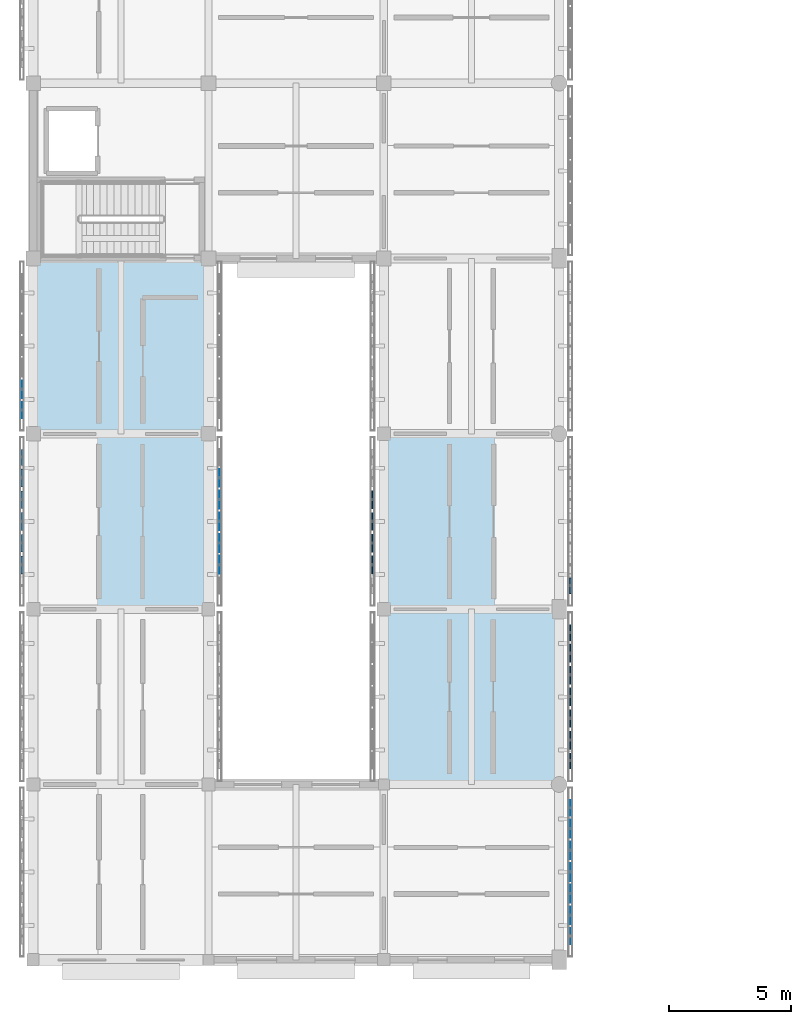
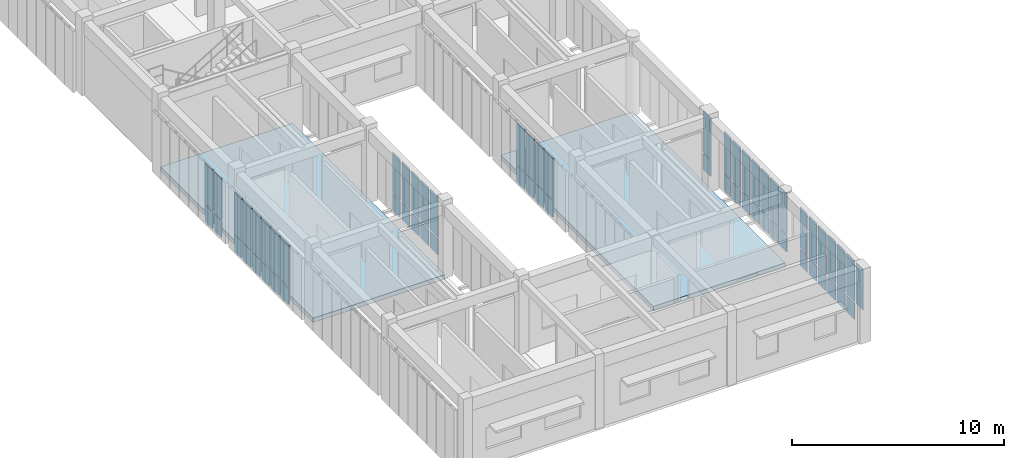
# One storey, part 93 of 171: 63 plates, 2 slabs, 7 elements without a shape of their own.
"""IFC4 building model written with IfcOpenShell, lengths in metres."""

from ifc_helpers import new_model, si_unit, direction, frame, origin, origin_2d, place, context, subcontext, project, spatial, polyline, rectangle, outline, extrude, material, layer, layer_set, type_object, element, aggregate, save


model = new_model("IFC4")

# Units and contexts
model_context = context("Model", 3, precision=1e-05, world=origin(), true_north=direction((0.0, 1.0)))
body_context = subcontext(model_context, "Body", "Model", "MODEL_VIEW")
ifc_project = project(units=[si_unit("LENGTHUNIT", "METRE"), si_unit("AREAUNIT", "SQUARE_METRE"), si_unit("VOLUMEUNIT", "CUBIC_METRE"), si_unit("PLANEANGLEUNIT", "RADIAN"), si_unit("MASSUNIT", "GRAM", prefix="KILO")], contexts=[model_context])

# Site, building, storey
site_placement = place(None, origin())
site = spatial("IfcSite", under=ifc_project, at=site_placement, CompositionType="ELEMENT")
building_placement = place(site_placement, origin())
building = spatial("IfcBuilding", under=site, at=building_placement, Name="Aldebral Square Health Centre", CompositionType="ELEMENT")
storey_placement = place(building_placement, frame((0.0, 0.0, 4.5)))
storey = spatial("IfcBuildingStorey", under=building, at=storey_placement, Name="L01", CompositionType="ELEMENT", Elevation=4.5)

# Curtain wall, plates
ifc_material_1 = material(Name="Aluminium and low-E solar glass", Category="aluminium")
curtain_wall_type = type_object("IfcCurtainWallType", Name="CW-FIN-SYS", PredefinedType="USERDEFINED", material=ifc_material_1)
curtain_wall_1_placement = place(storey_placement, origin())
curtain_wall_1 = element("IfcCurtainWall", 1, at=curtain_wall_1_placement, inside=storey, type_object=curtain_wall_type, Name="L01 V6 finned curtain wall L01-V6-00-02-E", ObjectType="SOLAR_CURTAIN_WALL", PredefinedType="USERDEFINED")
ifc_material_2 = material(Name="Solar-control low-E double glass", Category="glass")
ifc_layer_1 = layer(ifc_material_2, 0.02001953125, Name="Solar-control low-E double glass", Category="glass")
ifc_layer_set_1 = layer_set([ifc_layer_1], Name="Solar-control low-E double glass")
plate_type_1 = type_object("IfcPlateType", Name="CWP-GLZ-1", PredefinedType="CURTAIN_PANEL", material=ifc_layer_set_1)
plate_1_placement = place(storey_placement, frame((7.659912109375, 16.217041015625, 0.074951171875), z_axis=(0.0, 0.0, 1.0), x_axis=(0.0, 1.0, 0.0)))
plate_1 = element("IfcPlate", 2, at=plate_1_placement, type_object=plate_type_1, Name="CW1 panel 2.1", PredefinedType="CURTAIN_PANEL", context=body_context, shape_type="SweptSolid", body=[
    extrude(rectangle(XDim=0.7314453125, YDim=0.02001953125, at=origin_2d()), origin(), (0.0, 0.0, 1.0), 0.9375),
])
plate_2_placement = place(storey_placement, frame((7.659912109375, 16.217041015625, 1.087646484375), z_axis=(0.0, 0.0, 1.0), x_axis=(0.0, 1.0, 0.0)))
plate_2 = element("IfcPlate", 3, at=plate_2_placement, type_object=plate_type_1, Name="CW1 panel 2.2", PredefinedType="CURTAIN_PANEL", context=body_context, shape_type="SweptSolid", body=[
    extrude(rectangle(XDim=0.7314453125, YDim=0.02001953125, at=origin_2d()), origin(), (0.0, 0.0, 1.0), 2.357421875),
])
plate_3_placement = place(storey_placement, frame((7.659912109375, 17.108642578125, 0.074951171875), z_axis=(0.0, 0.0, 1.0), x_axis=(0.0, 1.0, 0.0)))
plate_3 = element("IfcPlate", 4, at=plate_3_placement, type_object=plate_type_1, Name="CW1 panel 3.1", PredefinedType="CURTAIN_PANEL", context=body_context, shape_type="SweptSolid", body=[
    extrude(rectangle(XDim=0.7314453125, YDim=0.02001953125, at=origin_2d()), origin(), (0.0, 0.0, 1.0), 0.9375),
])
plate_4_placement = place(storey_placement, frame((7.659912109375, 17.108642578125, 1.087646484375), z_axis=(0.0, 0.0, 1.0), x_axis=(0.0, 1.0, 0.0)))
plate_4 = element("IfcPlate", 5, at=plate_4_placement, type_object=plate_type_1, Name="CW1 panel 3.2", PredefinedType="CURTAIN_PANEL", context=body_context, shape_type="SweptSolid", body=[
    extrude(rectangle(XDim=0.7314453125, YDim=0.02001953125, at=origin_2d()), origin(), (0.0, 0.0, 1.0), 2.357421875),
])
plate_5_placement = place(storey_placement, frame((7.659912109375, 18.0, 0.074951171875), z_axis=(0.0, 0.0, 1.0), x_axis=(0.0, 1.0, 0.0)))
plate_5 = element("IfcPlate", 6, at=plate_5_placement, type_object=plate_type_1, Name="CW1 panel 4.1", PredefinedType="CURTAIN_PANEL", context=body_context, shape_type="SweptSolid", body=[
    extrude(rectangle(XDim=0.7314453125, YDim=0.02001953125, at=origin_2d()), origin(), (0.0, 0.0, 1.0), 0.9375),
])
plate_6_placement = place(storey_placement, frame((7.659912109375, 18.0, 1.087646484375), z_axis=(0.0, 0.0, 1.0), x_axis=(0.0, 1.0, 0.0)))
plate_6 = element("IfcPlate", 7, at=plate_6_placement, type_object=plate_type_1, Name="CW1 panel 4.2", PredefinedType="CURTAIN_PANEL", context=body_context, shape_type="SweptSolid", body=[
    extrude(rectangle(XDim=0.7314453125, YDim=0.02001953125, at=origin_2d()), origin(), (0.0, 0.0, 1.0), 2.357421875),
])
plate_7_placement = place(storey_placement, frame((7.659912109375, 18.891357421875, 0.074951171875), z_axis=(0.0, 0.0, 1.0), x_axis=(0.0, 1.0, 0.0)))
plate_7 = element("IfcPlate", 8, at=plate_7_placement, type_object=plate_type_1, Name="CW1 panel 5.1", PredefinedType="CURTAIN_PANEL", context=body_context, shape_type="SweptSolid", body=[
    extrude(rectangle(XDim=0.7314453125, YDim=0.02001953125, at=origin_2d()), origin(), (0.0, 0.0, 1.0), 0.9375),
])
plate_8_placement = place(storey_placement, frame((7.659912109375, 18.891357421875, 1.087646484375), z_axis=(0.0, 0.0, 1.0), x_axis=(0.0, 1.0, 0.0)))
plate_8 = element("IfcPlate", 9, at=plate_8_placement, type_object=plate_type_1, Name="CW1 panel 5.2", PredefinedType="CURTAIN_PANEL", context=body_context, shape_type="SweptSolid", body=[
    extrude(rectangle(XDim=0.7314453125, YDim=0.02001953125, at=origin_2d()), origin(), (0.0, 0.0, 1.0), 2.357421875),
])
plate_9_placement = place(storey_placement, frame((7.659912109375, 19.782958984375, 0.074951171875), z_axis=(0.0, 0.0, 1.0), x_axis=(0.0, 1.0, 0.0)))
plate_9 = element("IfcPlate", 10, at=plate_9_placement, type_object=plate_type_1, Name="CW1 panel 6.1", PredefinedType="CURTAIN_PANEL", context=body_context, shape_type="SweptSolid", body=[
    extrude(rectangle(XDim=0.7314453125, YDim=0.02001953125, at=origin_2d()), origin(), (0.0, 0.0, 1.0), 0.9375),
])
plate_10_placement = place(storey_placement, frame((7.659912109375, 19.782958984375, 1.087646484375), z_axis=(0.0, 0.0, 1.0), x_axis=(0.0, 1.0, 0.0)))
plate_10 = element("IfcPlate", 11, at=plate_10_placement, type_object=plate_type_1, Name="CW1 panel 6.2", PredefinedType="CURTAIN_PANEL", context=body_context, shape_type="SweptSolid", body=[
    extrude(rectangle(XDim=0.7314453125, YDim=0.02001953125, at=origin_2d()), origin(), (0.0, 0.0, 1.0), 2.357421875),
])
aggregate(curtain_wall_1, [plate_1, plate_2, plate_3, plate_4, plate_5, plate_6, plate_7, plate_8, plate_9, plate_10])

curtain_wall_2_placement = place(storey_placement, origin())
curtain_wall_2 = element("IfcCurtainWall", 12, at=curtain_wall_2_placement, inside=storey, type_object=curtain_wall_type, Name="L01 V6 finned curtain wall L01-V6-00-03-W", ObjectType="SOLAR_CURTAIN_WALL", PredefinedType="USERDEFINED")
ifc_layer_2 = layer(ifc_material_2, 0.030029296875, Name="Solar-control low-E double glass", Category="glass")
ifc_layer_set_2 = layer_set([ifc_layer_2], Name="Solar-control low-E double glass")
plate_type_2 = type_object("IfcPlateType", Name="CWP-GLZ-2", PredefinedType="CURTAIN_PANEL", material=ifc_layer_set_2)
plate_11_placement = place(storey_placement, frame((-0.4599609375, 23.417236328125, 0.074951171875), z_axis=(0.0, 0.0, 1.0), x_axis=(0.0, -1.0, 0.0)))
plate_11 = element("IfcPlate", 13, at=plate_11_placement, type_object=plate_type_2, Name="CW1 panel 6.1", PredefinedType="CURTAIN_PANEL", context=body_context, shape_type="SweptSolid", body=[
    extrude(rectangle(XDim=0.7314453125, YDim=0.030029296875, at=origin_2d()), origin(), (0.0, 0.0, 1.0), 0.9375),
])
plate_12_placement = place(storey_placement, frame((-0.4599609375, 23.417236328125, 1.087646484375), z_axis=(0.0, 0.0, 1.0), x_axis=(0.0, -1.0, 0.0)))
plate_12 = element("IfcPlate", 14, at=plate_12_placement, type_object=plate_type_2, Name="CW1 panel 6.2", PredefinedType="CURTAIN_PANEL", context=body_context, shape_type="SweptSolid", body=[
    extrude(rectangle(XDim=0.7314453125, YDim=0.030029296875, at=origin_2d()), origin(), (0.0, 0.0, 1.0), 2.357421875),
])
plate_13_placement = place(storey_placement, frame((-0.4599609375, 22.565673828125, 0.074951171875), z_axis=(0.0, 0.0, 1.0), x_axis=(0.0, -1.0, 0.0)))
plate_13 = element("IfcPlate", 15, at=plate_13_placement, type_object=plate_type_2, Name="CW1 panel 7.1", PredefinedType="CURTAIN_PANEL", context=body_context, shape_type="SweptSolid", body=[
    extrude(rectangle(XDim=0.6513671875, YDim=0.030029296875, at=origin_2d()), origin(), (0.0, 0.0, 1.0), 0.9375),
])
plate_14_placement = place(storey_placement, frame((-0.4599609375, 22.565673828125, 1.087646484375), z_axis=(0.0, 0.0, 1.0), x_axis=(0.0, -1.0, 0.0)))
plate_14 = element("IfcPlate", 16, at=plate_14_placement, type_object=plate_type_2, Name="CW1 panel 7.2", PredefinedType="CURTAIN_PANEL", context=body_context, shape_type="SweptSolid", body=[
    extrude(rectangle(XDim=0.6513671875, YDim=0.030029296875, at=origin_2d()), origin(), (0.0, 0.0, 1.0), 2.357421875),
])
aggregate(curtain_wall_2, [plate_11, plate_12, plate_13, plate_14])

curtain_wall_3_placement = place(storey_placement, origin())
curtain_wall_3 = element("IfcCurtainWall", 17, at=curtain_wall_3_placement, inside=storey, type_object=curtain_wall_type, Name="L01 V6 finned curtain wall L01-V6-02-00-E", ObjectType="SOLAR_CURTAIN_WALL", PredefinedType="USERDEFINED")
plate_15_placement = place(storey_placement, frame((22.06005859375, 0.9658203125, 1.087646484375), z_axis=(0.0, 0.0, 1.0), x_axis=(0.0, 1.0, 0.0)))
plate_15 = element("IfcPlate", 18, at=plate_15_placement, type_object=plate_type_2, Name="CW1 panel 1.2", PredefinedType="CURTAIN_PANEL", context=body_context, shape_type="SweptSolid", body=[
    extrude(rectangle(XDim=0.6513671875, YDim=0.030029296875, at=origin_2d()), origin(), (0.0, 0.0, 1.0), 2.357421875),
])
plate_16_placement = place(storey_placement, frame((22.06005859375, 1.817138671875, 0.074951171875), z_axis=(0.0, 0.0, 1.0), x_axis=(0.0, 1.0, 0.0)))
plate_16 = element("IfcPlate", 19, at=plate_16_placement, type_object=plate_type_2, Name="CW1 panel 2.1", PredefinedType="CURTAIN_PANEL", context=body_context, shape_type="SweptSolid", body=[
    extrude(rectangle(XDim=0.7314453125, YDim=0.030029296875, at=origin_2d()), origin(), (0.0, 0.0, 1.0), 0.9375),
])
plate_17_placement = place(storey_placement, frame((22.06005859375, 1.817138671875, 1.087646484375), z_axis=(0.0, 0.0, 1.0), x_axis=(0.0, 1.0, 0.0)))
plate_17 = element("IfcPlate", 20, at=plate_17_placement, type_object=plate_type_2, Name="CW1 panel 2.2", PredefinedType="CURTAIN_PANEL", context=body_context, shape_type="SweptSolid", body=[
    extrude(rectangle(XDim=0.7314453125, YDim=0.030029296875, at=origin_2d()), origin(), (0.0, 0.0, 1.0), 2.357421875),
])
plate_18_placement = place(storey_placement, frame((22.06005859375, 2.70849609375, 0.074951171875), z_axis=(0.0, 0.0, 1.0), x_axis=(0.0, 1.0, 0.0)))
plate_18 = element("IfcPlate", 21, at=plate_18_placement, type_object=plate_type_2, Name="CW1 panel 3.1", PredefinedType="CURTAIN_PANEL", context=body_context, shape_type="SweptSolid", body=[
    extrude(rectangle(XDim=0.7314453125, YDim=0.030029296875, at=origin_2d()), origin(), (0.0, 0.0, 1.0), 0.9375),
])
plate_19_placement = place(storey_placement, frame((22.06005859375, 2.70849609375, 1.087646484375), z_axis=(0.0, 0.0, 1.0), x_axis=(0.0, 1.0, 0.0)))
plate_19 = element("IfcPlate", 22, at=plate_19_placement, type_object=plate_type_2, Name="CW1 panel 3.2", PredefinedType="CURTAIN_PANEL", context=body_context, shape_type="SweptSolid", body=[
    extrude(rectangle(XDim=0.7314453125, YDim=0.030029296875, at=origin_2d()), origin(), (0.0, 0.0, 1.0), 2.357421875),
])
plate_20_placement = place(storey_placement, frame((22.06005859375, 3.60009765625, 0.074951171875), z_axis=(0.0, 0.0, 1.0), x_axis=(0.0, 1.0, 0.0)))
plate_20 = element("IfcPlate", 23, at=plate_20_placement, type_object=plate_type_2, Name="CW1 panel 4.1", PredefinedType="CURTAIN_PANEL", context=body_context, shape_type="SweptSolid", body=[
    extrude(rectangle(XDim=0.7314453125, YDim=0.030029296875, at=origin_2d()), origin(), (0.0, 0.0, 1.0), 0.9375),
])
plate_21_placement = place(storey_placement, frame((22.06005859375, 3.60009765625, 1.087646484375), z_axis=(0.0, 0.0, 1.0), x_axis=(0.0, 1.0, 0.0)))
plate_21 = element("IfcPlate", 24, at=plate_21_placement, type_object=plate_type_2, Name="CW1 panel 4.2", PredefinedType="CURTAIN_PANEL", context=body_context, shape_type="SweptSolid", body=[
    extrude(rectangle(XDim=0.7314453125, YDim=0.030029296875, at=origin_2d()), origin(), (0.0, 0.0, 1.0), 2.357421875),
])
plate_22_placement = place(storey_placement, frame((22.06005859375, 4.491455078125, 0.074951171875), z_axis=(0.0, 0.0, 1.0), x_axis=(0.0, 1.0, 0.0)))
plate_22 = element("IfcPlate", 25, at=plate_22_placement, type_object=plate_type_2, Name="CW1 panel 5.1", PredefinedType="CURTAIN_PANEL", context=body_context, shape_type="SweptSolid", body=[
    extrude(rectangle(XDim=0.7314453125, YDim=0.030029296875, at=origin_2d()), origin(), (0.0, 0.0, 1.0), 0.9375),
])
plate_23_placement = place(storey_placement, frame((22.06005859375, 4.491455078125, 1.087646484375), z_axis=(0.0, 0.0, 1.0), x_axis=(0.0, 1.0, 0.0)))
plate_23 = element("IfcPlate", 26, at=plate_23_placement, type_object=plate_type_2, Name="CW1 panel 5.2", PredefinedType="CURTAIN_PANEL", context=body_context, shape_type="SweptSolid", body=[
    extrude(rectangle(XDim=0.7314453125, YDim=0.030029296875, at=origin_2d()), origin(), (0.0, 0.0, 1.0), 2.357421875),
])
plate_24_placement = place(storey_placement, frame((22.06005859375, 5.3828125, 0.074951171875), z_axis=(0.0, 0.0, 1.0), x_axis=(0.0, 1.0, 0.0)))
plate_24 = element("IfcPlate", 27, at=plate_24_placement, type_object=plate_type_2, Name="CW1 panel 6.1", PredefinedType="CURTAIN_PANEL", context=body_context, shape_type="SweptSolid", body=[
    extrude(rectangle(XDim=0.7314453125, YDim=0.030029296875, at=origin_2d()), origin(), (0.0, 0.0, 1.0), 0.9375),
])
plate_25_placement = place(storey_placement, frame((22.06005859375, 5.3828125, 1.087646484375), z_axis=(0.0, 0.0, 1.0), x_axis=(0.0, 1.0, 0.0)))
plate_25 = element("IfcPlate", 28, at=plate_25_placement, type_object=plate_type_2, Name="CW1 panel 6.2", PredefinedType="CURTAIN_PANEL", context=body_context, shape_type="SweptSolid", body=[
    extrude(rectangle(XDim=0.7314453125, YDim=0.030029296875, at=origin_2d()), origin(), (0.0, 0.0, 1.0), 2.357421875),
])
plate_26_placement = place(storey_placement, frame((22.06005859375, 6.234375, 0.074951171875), z_axis=(0.0, 0.0, 1.0), x_axis=(0.0, 1.0, 0.0)))
plate_26 = element("IfcPlate", 29, at=plate_26_placement, type_object=plate_type_2, Name="CW1 panel 7.1", PredefinedType="CURTAIN_PANEL", context=body_context, shape_type="SweptSolid", body=[
    extrude(rectangle(XDim=0.6513671875, YDim=0.030029296875, at=origin_2d()), origin(), (0.0, 0.0, 1.0), 0.9375),
])
plate_27_placement = place(storey_placement, frame((22.06005859375, 6.234375, 1.087646484375), z_axis=(0.0, 0.0, 1.0), x_axis=(0.0, 1.0, 0.0)))
plate_27 = element("IfcPlate", 30, at=plate_27_placement, type_object=plate_type_2, Name="CW1 panel 7.2", PredefinedType="CURTAIN_PANEL", context=body_context, shape_type="SweptSolid", body=[
    extrude(rectangle(XDim=0.6513671875, YDim=0.030029296875, at=origin_2d()), origin(), (0.0, 0.0, 1.0), 2.357421875),
])
aggregate(curtain_wall_3, [plate_15, plate_16, plate_17, plate_18, plate_19, plate_20, plate_21, plate_22, plate_23, plate_24, plate_25, plate_26, plate_27])

curtain_wall_4_placement = place(storey_placement, origin())
curtain_wall_4 = element("IfcCurtainWall", 31, at=curtain_wall_4_placement, inside=storey, type_object=curtain_wall_type, Name="L01 V6 finned curtain wall L01-V6-02-01-E", ObjectType="SOLAR_CURTAIN_WALL", PredefinedType="USERDEFINED")
ifc_layer_3 = layer(ifc_material_2, 0.050048828125, Name="Solar-control low-E double glass", Category="glass")
ifc_layer_set_3 = layer_set([ifc_layer_3], Name="Solar-control low-E double glass")
plate_type_3 = type_object("IfcPlateType", Name="CWP-GLZ-4", PredefinedType="CURTAIN_PANEL", material=ifc_layer_set_3)
plate_28_placement = place(storey_placement, frame((22.06005859375, 8.165771484375, 0.074951171875), z_axis=(0.0, 0.0, 1.0), x_axis=(0.0, 1.0, 0.0)))
plate_28 = element("IfcPlate", 32, at=plate_28_placement, type_object=plate_type_3, Name="CW1 panel 1.1", PredefinedType="CURTAIN_PANEL", context=body_context, shape_type="SweptSolid", body=[
    extrude(rectangle(XDim=0.6513671875, YDim=0.050048828125, at=origin_2d()), origin(), (0.0, 0.0, 1.0), 0.9375),
])
plate_29_placement = place(storey_placement, frame((22.06005859375, 8.165771484375, 1.087646484375), z_axis=(0.0, 0.0, 1.0), x_axis=(0.0, 1.0, 0.0)))
plate_29 = element("IfcPlate", 33, at=plate_29_placement, type_object=plate_type_3, Name="CW1 panel 1.2", PredefinedType="CURTAIN_PANEL", context=body_context, shape_type="SweptSolid", body=[
    extrude(rectangle(XDim=0.6513671875, YDim=0.050048828125, at=origin_2d()), origin(), (0.0, 0.0, 1.0), 2.357421875),
])
plate_30_placement = place(storey_placement, frame((22.06005859375, 9.01708984375, 0.074951171875), z_axis=(0.0, 0.0, 1.0), x_axis=(0.0, 1.0, 0.0)))
plate_30 = element("IfcPlate", 34, at=plate_30_placement, type_object=plate_type_3, Name="CW1 panel 2.1", PredefinedType="CURTAIN_PANEL", context=body_context, shape_type="SweptSolid", body=[
    extrude(rectangle(XDim=0.7314453125, YDim=0.050048828125, at=origin_2d()), origin(), (0.0, 0.0, 1.0), 0.9375),
])
plate_31_placement = place(storey_placement, frame((22.06005859375, 9.01708984375, 1.087646484375), z_axis=(0.0, 0.0, 1.0), x_axis=(0.0, 1.0, 0.0)))
plate_31 = element("IfcPlate", 35, at=plate_31_placement, type_object=plate_type_3, Name="CW1 panel 2.2", PredefinedType="CURTAIN_PANEL", context=body_context, shape_type="SweptSolid", body=[
    extrude(rectangle(XDim=0.7314453125, YDim=0.050048828125, at=origin_2d()), origin(), (0.0, 0.0, 1.0), 2.357421875),
])
plate_32_placement = place(storey_placement, frame((22.06005859375, 9.90869140625, 0.074951171875), z_axis=(0.0, 0.0, 1.0), x_axis=(0.0, 1.0, 0.0)))
plate_32 = element("IfcPlate", 36, at=plate_32_placement, type_object=plate_type_3, Name="CW1 panel 3.1", PredefinedType="CURTAIN_PANEL", context=body_context, shape_type="SweptSolid", body=[
    extrude(rectangle(XDim=0.7314453125, YDim=0.050048828125, at=origin_2d()), origin(), (0.0, 0.0, 1.0), 0.9375),
])
plate_33_placement = place(storey_placement, frame((22.06005859375, 9.90869140625, 1.087646484375), z_axis=(0.0, 0.0, 1.0), x_axis=(0.0, 1.0, 0.0)))
plate_33 = element("IfcPlate", 37, at=plate_33_placement, type_object=plate_type_3, Name="CW1 panel 3.2", PredefinedType="CURTAIN_PANEL", context=body_context, shape_type="SweptSolid", body=[
    extrude(rectangle(XDim=0.7314453125, YDim=0.050048828125, at=origin_2d()), origin(), (0.0, 0.0, 1.0), 2.357421875),
])
plate_34_placement = place(storey_placement, frame((22.06005859375, 10.800048828125, 0.074951171875), z_axis=(0.0, 0.0, 1.0), x_axis=(0.0, 1.0, 0.0)))
plate_34 = element("IfcPlate", 38, at=plate_34_placement, type_object=plate_type_3, Name="CW1 panel 4.1", PredefinedType="CURTAIN_PANEL", context=body_context, shape_type="SweptSolid", body=[
    extrude(rectangle(XDim=0.7314453125, YDim=0.050048828125, at=origin_2d()), origin(), (0.0, 0.0, 1.0), 0.9375),
])
plate_35_placement = place(storey_placement, frame((22.06005859375, 10.800048828125, 1.087646484375), z_axis=(0.0, 0.0, 1.0), x_axis=(0.0, 1.0, 0.0)))
plate_35 = element("IfcPlate", 39, at=plate_35_placement, type_object=plate_type_3, Name="CW1 panel 4.2", PredefinedType="CURTAIN_PANEL", context=body_context, shape_type="SweptSolid", body=[
    extrude(rectangle(XDim=0.7314453125, YDim=0.050048828125, at=origin_2d()), origin(), (0.0, 0.0, 1.0), 2.357421875),
])
plate_36_placement = place(storey_placement, frame((22.06005859375, 11.69140625, 0.074951171875), z_axis=(0.0, 0.0, 1.0), x_axis=(0.0, 1.0, 0.0)))
plate_36 = element("IfcPlate", 40, at=plate_36_placement, type_object=plate_type_3, Name="CW1 panel 5.1", PredefinedType="CURTAIN_PANEL", context=body_context, shape_type="SweptSolid", body=[
    extrude(rectangle(XDim=0.7314453125, YDim=0.050048828125, at=origin_2d()), origin(), (0.0, 0.0, 1.0), 0.9375),
])
plate_37_placement = place(storey_placement, frame((22.06005859375, 11.69140625, 1.087646484375), z_axis=(0.0, 0.0, 1.0), x_axis=(0.0, 1.0, 0.0)))
plate_37 = element("IfcPlate", 41, at=plate_37_placement, type_object=plate_type_3, Name="CW1 panel 5.2", PredefinedType="CURTAIN_PANEL", context=body_context, shape_type="SweptSolid", body=[
    extrude(rectangle(XDim=0.7314453125, YDim=0.050048828125, at=origin_2d()), origin(), (0.0, 0.0, 1.0), 2.357421875),
])
plate_38_placement = place(storey_placement, frame((22.06005859375, 12.582763671875, 0.074951171875), z_axis=(0.0, 0.0, 1.0), x_axis=(0.0, 1.0, 0.0)))
plate_38 = element("IfcPlate", 42, at=plate_38_placement, type_object=plate_type_3, Name="CW1 panel 6.1", PredefinedType="CURTAIN_PANEL", context=body_context, shape_type="SweptSolid", body=[
    extrude(rectangle(XDim=0.7314453125, YDim=0.050048828125, at=origin_2d()), origin(), (0.0, 0.0, 1.0), 0.9375),
])
plate_39_placement = place(storey_placement, frame((22.06005859375, 12.582763671875, 1.087646484375), z_axis=(0.0, 0.0, 1.0), x_axis=(0.0, 1.0, 0.0)))
plate_39 = element("IfcPlate", 43, at=plate_39_placement, type_object=plate_type_3, Name="CW1 panel 6.2", PredefinedType="CURTAIN_PANEL", context=body_context, shape_type="SweptSolid", body=[
    extrude(rectangle(XDim=0.7314453125, YDim=0.050048828125, at=origin_2d()), origin(), (0.0, 0.0, 1.0), 2.357421875),
])
plate_40_placement = place(storey_placement, frame((22.06005859375, 13.434326171875, 0.074951171875), z_axis=(0.0, 0.0, 1.0), x_axis=(0.0, 1.0, 0.0)))
plate_40 = element("IfcPlate", 44, at=plate_40_placement, type_object=plate_type_3, Name="CW1 panel 7.1", PredefinedType="CURTAIN_PANEL", context=body_context, shape_type="SweptSolid", body=[
    extrude(rectangle(XDim=0.6513671875, YDim=0.050048828125, at=origin_2d()), origin(), (0.0, 0.0, 1.0), 0.9375),
])
plate_41_placement = place(storey_placement, frame((22.06005859375, 13.434326171875, 1.087646484375), z_axis=(0.0, 0.0, 1.0), x_axis=(0.0, 1.0, 0.0)))
plate_41 = element("IfcPlate", 45, at=plate_41_placement, type_object=plate_type_3, Name="CW1 panel 7.2", PredefinedType="CURTAIN_PANEL", context=body_context, shape_type="SweptSolid", body=[
    extrude(rectangle(XDim=0.6513671875, YDim=0.050048828125, at=origin_2d()), origin(), (0.0, 0.0, 1.0), 2.357421875),
])
aggregate(curtain_wall_4, [plate_28, plate_29, plate_30, plate_31, plate_32, plate_33, plate_34, plate_35, plate_36, plate_37, plate_38, plate_39, plate_40, plate_41])

curtain_wall_5_placement = place(storey_placement, origin())
curtain_wall_5 = element("IfcCurtainWall", 46, at=curtain_wall_5_placement, inside=storey, type_object=curtain_wall_type, Name="L01 V6 finned curtain wall L01-V6-02-02-W", ObjectType="SOLAR_CURTAIN_WALL", PredefinedType="USERDEFINED")
ifc_layer_4 = layer(ifc_material_2, 0.06005859375, Name="Solar-control low-E double glass", Category="glass")
ifc_layer_set_4 = layer_set([ifc_layer_4], Name="Solar-control low-E double glass")
plate_type_4 = type_object("IfcPlateType", Name="CWP-GLZ-5", PredefinedType="CURTAIN_PANEL", material=ifc_layer_set_4)
plate_42_placement = place(storey_placement, frame((13.93994140625, 18.891357421875, 0.074951171875), z_axis=(0.0, 0.0, 1.0), x_axis=(0.0, -1.0, 0.0)))
plate_42 = element("IfcPlate", 47, at=plate_42_placement, type_object=plate_type_4, Name="CW1 panel 3.1", PredefinedType="CURTAIN_PANEL", context=body_context, shape_type="SweptSolid", body=[
    extrude(rectangle(XDim=0.7314453125, YDim=0.06005859375, at=origin_2d()), origin(), (0.0, 0.0, 1.0), 0.9375),
])
plate_43_placement = place(storey_placement, frame((13.93994140625, 18.891357421875, 1.087646484375), z_axis=(0.0, 0.0, 1.0), x_axis=(0.0, -1.0, 0.0)))
plate_43 = element("IfcPlate", 48, at=plate_43_placement, type_object=plate_type_4, Name="CW1 panel 3.2", PredefinedType="CURTAIN_PANEL", context=body_context, shape_type="SweptSolid", body=[
    extrude(rectangle(XDim=0.7314453125, YDim=0.06005859375, at=origin_2d()), origin(), (0.0, 0.0, 1.0), 2.357421875),
])
plate_44_placement = place(storey_placement, frame((13.93994140625, 18.0, 0.074951171875), z_axis=(0.0, 0.0, 1.0), x_axis=(0.0, -1.0, 0.0)))
plate_44 = element("IfcPlate", 49, at=plate_44_placement, type_object=plate_type_4, Name="CW1 panel 4.1", PredefinedType="CURTAIN_PANEL", context=body_context, shape_type="SweptSolid", body=[
    extrude(rectangle(XDim=0.7314453125, YDim=0.06005859375, at=origin_2d()), origin(), (0.0, 0.0, 1.0), 0.9375),
])
plate_45_placement = place(storey_placement, frame((13.93994140625, 18.0, 1.087646484375), z_axis=(0.0, 0.0, 1.0), x_axis=(0.0, -1.0, 0.0)))
plate_45 = element("IfcPlate", 50, at=plate_45_placement, type_object=plate_type_4, Name="CW1 panel 4.2", PredefinedType="CURTAIN_PANEL", context=body_context, shape_type="SweptSolid", body=[
    extrude(rectangle(XDim=0.7314453125, YDim=0.06005859375, at=origin_2d()), origin(), (0.0, 0.0, 1.0), 2.357421875),
])
plate_46_placement = place(storey_placement, frame((13.93994140625, 17.108642578125, 0.074951171875), z_axis=(0.0, 0.0, 1.0), x_axis=(0.0, -1.0, 0.0)))
plate_46 = element("IfcPlate", 51, at=plate_46_placement, type_object=plate_type_4, Name="CW1 panel 5.1", PredefinedType="CURTAIN_PANEL", context=body_context, shape_type="SweptSolid", body=[
    extrude(rectangle(XDim=0.7314453125, YDim=0.06005859375, at=origin_2d()), origin(), (0.0, 0.0, 1.0), 0.9375),
])
plate_47_placement = place(storey_placement, frame((13.93994140625, 17.108642578125, 1.087646484375), z_axis=(0.0, 0.0, 1.0), x_axis=(0.0, -1.0, 0.0)))
plate_47 = element("IfcPlate", 52, at=plate_47_placement, type_object=plate_type_4, Name="CW1 panel 5.2", PredefinedType="CURTAIN_PANEL", context=body_context, shape_type="SweptSolid", body=[
    extrude(rectangle(XDim=0.7314453125, YDim=0.06005859375, at=origin_2d()), origin(), (0.0, 0.0, 1.0), 2.357421875),
])
plate_48_placement = place(storey_placement, frame((13.93994140625, 16.217041015625, 0.074951171875), z_axis=(0.0, 0.0, 1.0), x_axis=(0.0, -1.0, 0.0)))
plate_48 = element("IfcPlate", 53, at=plate_48_placement, type_object=plate_type_4, Name="CW1 panel 6.1", PredefinedType="CURTAIN_PANEL", context=body_context, shape_type="SweptSolid", body=[
    extrude(rectangle(XDim=0.7314453125, YDim=0.06005859375, at=origin_2d()), origin(), (0.0, 0.0, 1.0), 0.9375),
])
plate_49_placement = place(storey_placement, frame((13.93994140625, 16.217041015625, 1.087646484375), z_axis=(0.0, 0.0, 1.0), x_axis=(0.0, -1.0, 0.0)))
plate_49 = element("IfcPlate", 54, at=plate_49_placement, type_object=plate_type_4, Name="CW1 panel 6.2", PredefinedType="CURTAIN_PANEL", context=body_context, shape_type="SweptSolid", body=[
    extrude(rectangle(XDim=0.7314453125, YDim=0.06005859375, at=origin_2d()), origin(), (0.0, 0.0, 1.0), 2.357421875),
])
aggregate(curtain_wall_5, [plate_42, plate_43, plate_44, plate_45, plate_46, plate_47, plate_48, plate_49])

curtain_wall_6_placement = place(storey_placement, origin())
curtain_wall_6 = element("IfcCurtainWall", 55, at=curtain_wall_6_placement, inside=storey, type_object=curtain_wall_type, Name="L01 V6 finned curtain wall L01-V6-02-02-E", ObjectType="SOLAR_CURTAIN_WALL", PredefinedType="USERDEFINED")
ifc_layer_5 = layer(ifc_material_2, 0.070068359375, Name="Solar-control low-E double glass", Category="glass")
ifc_layer_set_5 = layer_set([ifc_layer_5], Name="Solar-control low-E double glass")
plate_type_5 = type_object("IfcPlateType", Name="CWP-GLZ-6", PredefinedType="CURTAIN_PANEL", material=ifc_layer_set_5)
plate_50_placement = place(storey_placement, frame((22.06005859375, 15.36572265625, 0.074951171875), z_axis=(0.0, 0.0, 1.0), x_axis=(0.0, 1.0, 0.0)))
plate_50 = element("IfcPlate", 56, at=plate_50_placement, type_object=plate_type_5, Name="CW1 panel 1.1", PredefinedType="CURTAIN_PANEL", context=body_context, shape_type="SweptSolid", body=[
    extrude(rectangle(XDim=0.6513671875, YDim=0.070068359375, at=origin_2d()), origin(), (0.0, 0.0, 1.0), 0.9375),
])
plate_51_placement = place(storey_placement, frame((22.06005859375, 15.36572265625, 1.087646484375), z_axis=(0.0, 0.0, 1.0), x_axis=(0.0, 1.0, 0.0)))
plate_51 = element("IfcPlate", 57, at=plate_51_placement, type_object=plate_type_5, Name="CW1 panel 1.2", PredefinedType="CURTAIN_PANEL", context=body_context, shape_type="SweptSolid", body=[
    extrude(rectangle(XDim=0.6513671875, YDim=0.070068359375, at=origin_2d()), origin(), (0.0, 0.0, 1.0), 2.357421875),
])
aggregate(curtain_wall_6, [plate_50, plate_51])

curtain_wall_7_placement = place(storey_placement, origin())
curtain_wall_7 = element("IfcCurtainWall", 58, at=curtain_wall_7_placement, inside=storey, type_object=curtain_wall_type, Name="L01 V6 finned curtain wall L01-V6-00-02-W", ObjectType="SOLAR_CURTAIN_WALL", PredefinedType="USERDEFINED")
ifc_layer_6 = layer(ifc_material_2, 0.090087890625, Name="Solar-control low-E double glass", Category="glass")
ifc_layer_set_6 = layer_set([ifc_layer_6], Name="Solar-control low-E double glass")
plate_type_6 = type_object("IfcPlateType", Name="CWP-GLZ-8", PredefinedType="CURTAIN_PANEL", material=ifc_layer_set_6)
plate_52_placement = place(storey_placement, frame((-0.4599609375, 20.63427734375, 0.074951171875), z_axis=(0.0, 0.0, 1.0), x_axis=(0.0, -1.0, 0.0)))
plate_52 = element("IfcPlate", 59, at=plate_52_placement, type_object=plate_type_6, Name="CW1 panel 1.1", PredefinedType="CURTAIN_PANEL", context=body_context, shape_type="SweptSolid", body=[
    extrude(rectangle(XDim=0.6513671875, YDim=0.090087890625, at=origin_2d()), origin(), (0.0, 0.0, 1.0), 0.9375),
])
plate_53_placement = place(storey_placement, frame((-0.4599609375, 20.63427734375, 1.087646484375), z_axis=(0.0, 0.0, 1.0), x_axis=(0.0, -1.0, 0.0)))
plate_53 = element("IfcPlate", 60, at=plate_53_placement, type_object=plate_type_6, Name="CW1 panel 1.2", PredefinedType="CURTAIN_PANEL", context=body_context, shape_type="SweptSolid", body=[
    extrude(rectangle(XDim=0.6513671875, YDim=0.090087890625, at=origin_2d()), origin(), (0.0, 0.0, 1.0), 2.357421875),
])
plate_54_placement = place(storey_placement, frame((-0.4599609375, 19.782958984375, 0.074951171875), z_axis=(0.0, 0.0, 1.0), x_axis=(0.0, -1.0, 0.0)))
plate_54 = element("IfcPlate", 61, at=plate_54_placement, type_object=plate_type_6, Name="CW1 panel 2.1", PredefinedType="CURTAIN_PANEL", context=body_context, shape_type="SweptSolid", body=[
    extrude(rectangle(XDim=0.7314453125, YDim=0.090087890625, at=origin_2d()), origin(), (0.0, 0.0, 1.0), 0.9375),
])
plate_55_placement = place(storey_placement, frame((-0.4599609375, 19.782958984375, 1.087646484375), z_axis=(0.0, 0.0, 1.0), x_axis=(0.0, -1.0, 0.0)))
plate_55 = element("IfcPlate", 62, at=plate_55_placement, type_object=plate_type_6, Name="CW1 panel 2.2", PredefinedType="CURTAIN_PANEL", context=body_context, shape_type="SweptSolid", body=[
    extrude(rectangle(XDim=0.7314453125, YDim=0.090087890625, at=origin_2d()), origin(), (0.0, 0.0, 1.0), 2.357421875),
])
plate_56_placement = place(storey_placement, frame((-0.4599609375, 18.891357421875, 0.074951171875), z_axis=(0.0, 0.0, 1.0), x_axis=(0.0, -1.0, 0.0)))
plate_56 = element("IfcPlate", 63, at=plate_56_placement, type_object=plate_type_6, Name="CW1 panel 3.1", PredefinedType="CURTAIN_PANEL", context=body_context, shape_type="SweptSolid", body=[
    extrude(rectangle(XDim=0.7314453125, YDim=0.090087890625, at=origin_2d()), origin(), (0.0, 0.0, 1.0), 0.9375),
])
plate_57_placement = place(storey_placement, frame((-0.4599609375, 18.891357421875, 1.087646484375), z_axis=(0.0, 0.0, 1.0), x_axis=(0.0, -1.0, 0.0)))
plate_57 = element("IfcPlate", 64, at=plate_57_placement, type_object=plate_type_6, Name="CW1 panel 3.2", PredefinedType="CURTAIN_PANEL", context=body_context, shape_type="SweptSolid", body=[
    extrude(rectangle(XDim=0.7314453125, YDim=0.090087890625, at=origin_2d()), origin(), (0.0, 0.0, 1.0), 2.357421875),
])
plate_58_placement = place(storey_placement, frame((-0.4599609375, 18.0, 0.074951171875), z_axis=(0.0, 0.0, 1.0), x_axis=(0.0, -1.0, 0.0)))
plate_58 = element("IfcPlate", 65, at=plate_58_placement, type_object=plate_type_6, Name="CW1 panel 4.1", PredefinedType="CURTAIN_PANEL", context=body_context, shape_type="SweptSolid", body=[
    extrude(rectangle(XDim=0.7314453125, YDim=0.090087890625, at=origin_2d()), origin(), (0.0, 0.0, 1.0), 0.9375),
])
plate_59_placement = place(storey_placement, frame((-0.4599609375, 18.0, 1.087646484375), z_axis=(0.0, 0.0, 1.0), x_axis=(0.0, -1.0, 0.0)))
plate_59 = element("IfcPlate", 66, at=plate_59_placement, type_object=plate_type_6, Name="CW1 panel 4.2", PredefinedType="CURTAIN_PANEL", context=body_context, shape_type="SweptSolid", body=[
    extrude(rectangle(XDim=0.7314453125, YDim=0.090087890625, at=origin_2d()), origin(), (0.0, 0.0, 1.0), 2.357421875),
])
plate_60_placement = place(storey_placement, frame((-0.4599609375, 17.108642578125, 0.074951171875), z_axis=(0.0, 0.0, 1.0), x_axis=(0.0, -1.0, 0.0)))
plate_60 = element("IfcPlate", 67, at=plate_60_placement, type_object=plate_type_6, Name="CW1 panel 5.1", PredefinedType="CURTAIN_PANEL", context=body_context, shape_type="SweptSolid", body=[
    extrude(rectangle(XDim=0.7314453125, YDim=0.090087890625, at=origin_2d()), origin(), (0.0, 0.0, 1.0), 0.9375),
])
plate_61_placement = place(storey_placement, frame((-0.4599609375, 17.108642578125, 1.087646484375), z_axis=(0.0, 0.0, 1.0), x_axis=(0.0, -1.0, 0.0)))
plate_61 = element("IfcPlate", 68, at=plate_61_placement, type_object=plate_type_6, Name="CW1 panel 5.2", PredefinedType="CURTAIN_PANEL", context=body_context, shape_type="SweptSolid", body=[
    extrude(rectangle(XDim=0.7314453125, YDim=0.090087890625, at=origin_2d()), origin(), (0.0, 0.0, 1.0), 2.357421875),
])
plate_62_placement = place(storey_placement, frame((-0.4599609375, 16.217041015625, 0.074951171875), z_axis=(0.0, 0.0, 1.0), x_axis=(0.0, -1.0, 0.0)))
plate_62 = element("IfcPlate", 69, at=plate_62_placement, type_object=plate_type_6, Name="CW1 panel 6.1", PredefinedType="CURTAIN_PANEL", context=body_context, shape_type="SweptSolid", body=[
    extrude(rectangle(XDim=0.7314453125, YDim=0.090087890625, at=origin_2d()), origin(), (0.0, 0.0, 1.0), 0.9375),
])
plate_63_placement = place(storey_placement, frame((-0.4599609375, 16.217041015625, 1.087646484375), z_axis=(0.0, 0.0, 1.0), x_axis=(0.0, -1.0, 0.0)))
plate_63 = element("IfcPlate", 70, at=plate_63_placement, type_object=plate_type_6, Name="CW1 panel 6.2", PredefinedType="CURTAIN_PANEL", context=body_context, shape_type="SweptSolid", body=[
    extrude(rectangle(XDim=0.7314453125, YDim=0.090087890625, at=origin_2d()), origin(), (0.0, 0.0, 1.0), 2.357421875),
])
aggregate(curtain_wall_7, [plate_52, plate_53, plate_54, plate_55, plate_56, plate_57, plate_58, plate_59, plate_60, plate_61, plate_62, plate_63])

# Slabs
ifc_material_3 = material(Name="Concrete C35/45", Category="concrete")
ifc_layer_7 = layer(ifc_material_3, 0.260009765625, Name="Concrete C35/45", Category="concrete")
ifc_layer_set_7 = layer_set([ifc_layer_7], Name="Concrete C35/45")
slab_type = type_object("IfcSlabType", Name="SL-FLR-260", PredefinedType="FLOOR", material=ifc_layer_set_7)
slab_1_placement = place(storey_placement, frame((0.0, 0.0, -0.260009765625)))
element("IfcSlab", 71, at=slab_1_placement, inside=storey, type_object=slab_type, Name="L01 V6 floor slab 2", PredefinedType="FLOOR", context=body_context, shape_type="SweptSolid", body=[
    extrude(outline(polyline([(0.0, 14.39990234375), (0.0, 21.60009765625), (0.0, 28.800048828125), (7.199951171875, 28.800048828125), (7.199951171875, 21.60009765625), (7.199951171875, 14.39990234375), (0.0, 14.39990234375)])), origin(), (0.0, 0.0, 1.0), 0.260009765625),
])
slab_2_placement = place(storey_placement, frame((0.0, 0.0, -0.260009765625)))
element("IfcSlab", 72, at=slab_2_placement, inside=storey, type_object=slab_type, Name="L01 V6 floor slab 6", PredefinedType="FLOOR", context=body_context, shape_type="SweptSolid", body=[
    extrude(outline(polyline([(14.39990234375, 7.199951171875), (14.39990234375, 14.39990234375), (14.39990234375, 21.60009765625), (21.60009765625, 21.60009765625), (21.60009765625, 14.39990234375), (21.60009765625, 7.199951171875), (14.39990234375, 7.199951171875)])), origin(), (0.0, 0.0, 1.0), 0.260009765625),
])

save(model, "model.ifc")
